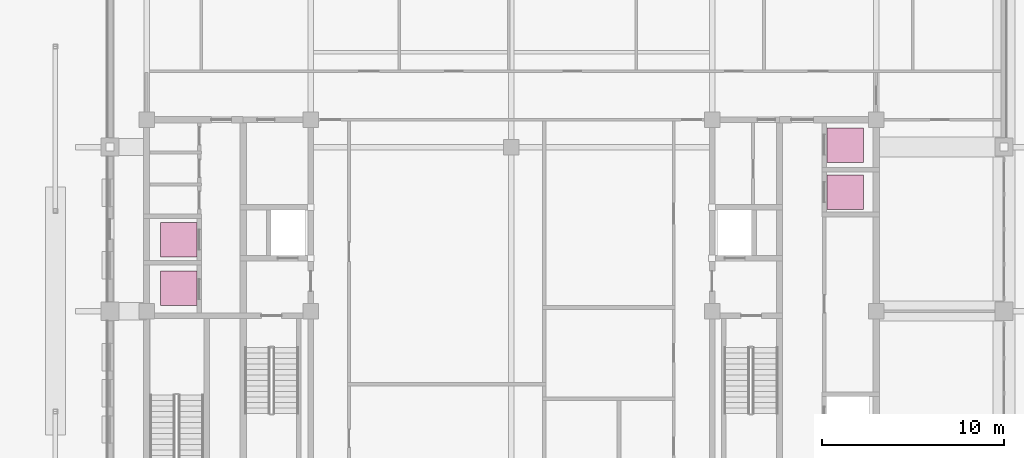
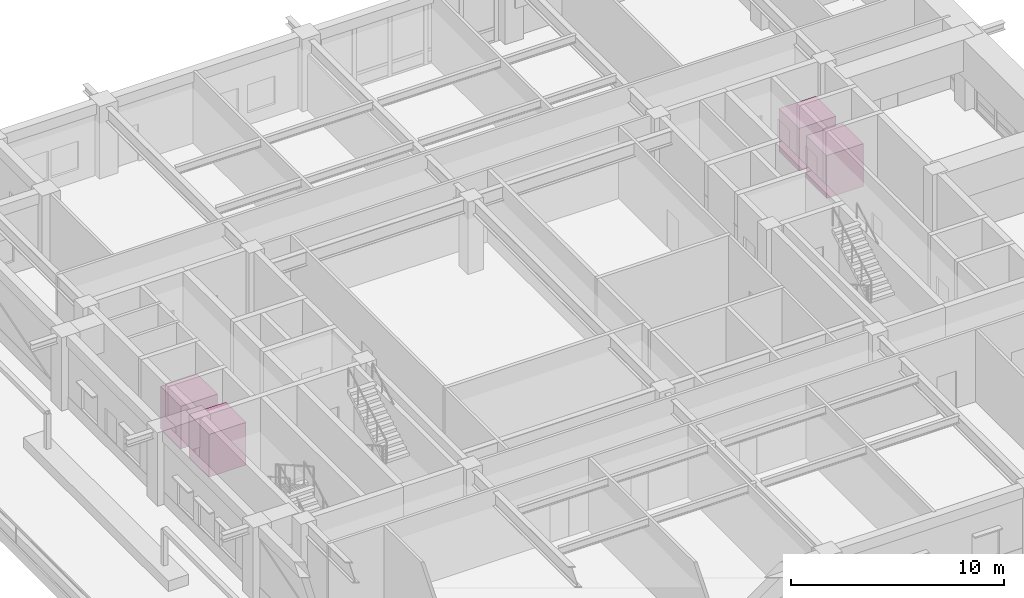
# One storey, part 20 of 20: 4 transport elements.
"""IFC4 building model written with IfcOpenShell, lengths in metres."""

from ifc_helpers import new_model, si_unit, direction, frame, origin, origin_2d, place, context, subcontext, project, spatial, rectangle, extrude, material, type_object, element, save


model = new_model("IFC4")

# Units and contexts
model_context = context("Model", 3, precision=1e-05, world=origin(), true_north=direction((0.0, 1.0)))
body_context = subcontext(model_context, "Body", "Model", "MODEL_VIEW")
ifc_project = project(units=[si_unit("LENGTHUNIT", "METRE"), si_unit("AREAUNIT", "SQUARE_METRE"), si_unit("VOLUMEUNIT", "CUBIC_METRE"), si_unit("PLANEANGLEUNIT", "RADIAN"), si_unit("MASSUNIT", "GRAM", prefix="KILO")], contexts=[model_context])

# Site, building, storey
site_placement = place(None, origin())
site = spatial("IfcSite", under=ifc_project, at=site_placement, CompositionType="ELEMENT")
building_placement = place(site_placement, origin())
building = spatial("IfcBuilding", under=site, at=building_placement, Name="Zulmaris Gate Convention Tower", CompositionType="ELEMENT")
storey_placement = place(building_placement, frame((0.0, 0.0, 158.23974609375)))
storey = spatial("IfcBuildingStorey", under=building, at=storey_placement, Name="L40", CompositionType="ELEMENT", Elevation=158.23974609375)

# Transport elements
ifc_material = material(Name="Brushed Stainless Steel", Category="steel")
transport_element_type = type_object("IfcTransportElementType", Name="LIFT-PASS-1600", PredefinedType="ELEVATOR", material=ifc_material)
for number, where, z_axis, x_axis, name in (
    (1, (18.300048828125, 6.52001953125, 0.0), (0.0, 0.0, 1.0), (1.0, 0.0, 0.0), "Elevator HP-01"),
    (2, (18.300048828125, 9.10009765625, 0.0), (0.0, 0.0, 1.0), (1.0, 0.0, 0.0), "Elevator HP-02"),
    (3, (-18.22998046875, 1.25, 0.0), (0.0, 0.0, 1.0), (1.0, 0.0, 0.0), "Elevator HP-03"),
    (4, (-18.22998046875, 3.919921875, 0.0), (0.0, 0.0, 1.0), (1.0, 0.0, 0.0), "Elevator HP-04"),
):
    element("IfcTransportElement", number, at=place(storey_placement, frame(where, z_axis=z_axis, x_axis=x_axis)), inside=storey, type_object=transport_element_type, Name=name, PredefinedType="ELEVATOR", context=body_context, shape_type="SweptSolid", body=[
        extrude(rectangle(XDim=2.0, YDim=1.89990234375, at=origin_2d()), origin(), (0.0, 0.0, 1.0), 2.449951171875),
    ])

save(model, "model.ifc")
